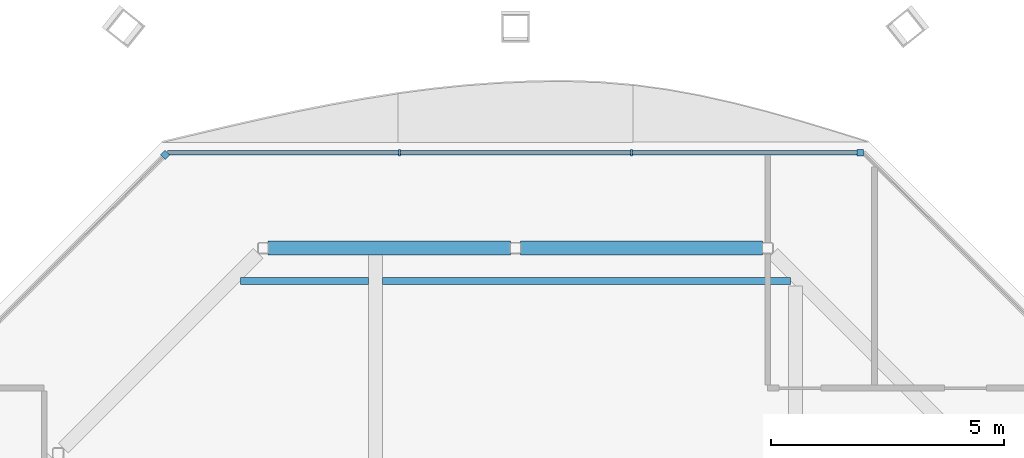
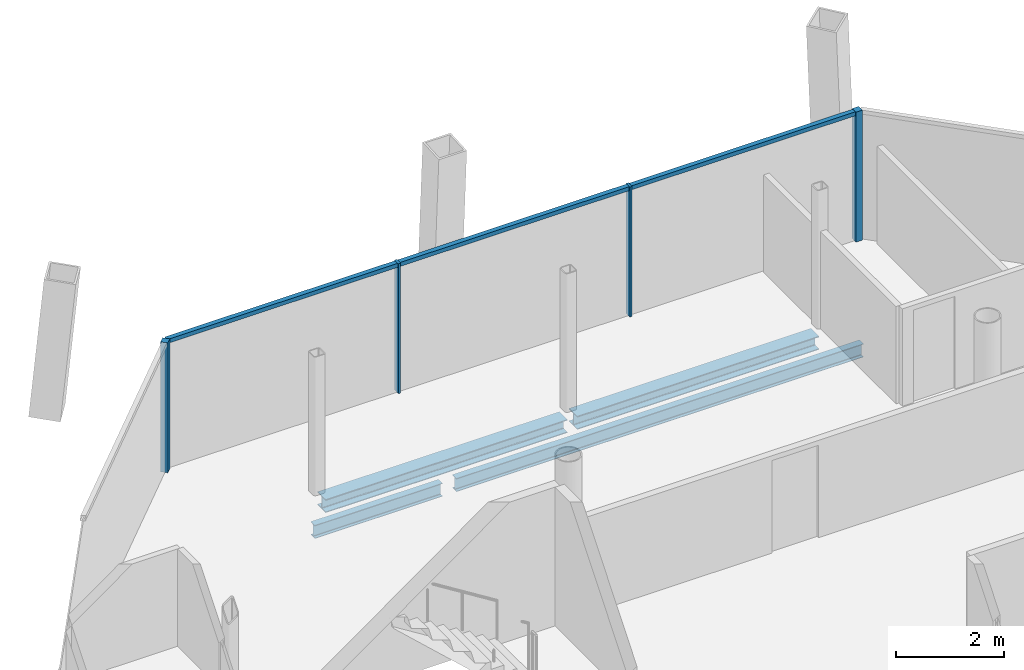
# One storey, part 8 of 14: 7 members, 4 beams, 2 elements without a shape of their own.
"""IFC4 building model written with IfcOpenShell, lengths in metres."""

from ifc_helpers import new_model, si_unit, direction, frame, origin, origin_2d, place, context, subcontext, project, spatial, rectangle, i_section, extrude, material, material_profile, profile_set, type_object, element, aggregate, save


model = new_model("IFC4")

# Units and contexts
model_context = context("Model", 3, precision=1e-05, world=origin(), true_north=direction((0.0, 1.0)))
body_context = subcontext(model_context, "Body", "Model", "MODEL_VIEW")
ifc_project = project(units=[si_unit("LENGTHUNIT", "METRE"), si_unit("AREAUNIT", "SQUARE_METRE"), si_unit("VOLUMEUNIT", "CUBIC_METRE"), si_unit("PLANEANGLEUNIT", "RADIAN"), si_unit("MASSUNIT", "GRAM", prefix="KILO")], contexts=[model_context])

# Site, building, storey
site_placement = place(None, origin())
site = spatial("IfcSite", under=ifc_project, at=site_placement, CompositionType="ELEMENT")
building_placement = place(site_placement, origin())
building = spatial("IfcBuilding", under=site, at=building_placement, Name="Tskaro Facet Tower", CompositionType="ELEMENT")
storey_placement = place(building_placement, frame((0.0, 0.0, 275.25)))
storey = spatial("IfcBuildingStorey", under=building, at=storey_placement, Name="L73", CompositionType="ELEMENT", Elevation=275.25)

# Curtain wall, member
ifc_material_1 = material(Name="Bronze anodised aluminium 6063-T6", Category="aluminium")
curtain_wall_type = type_object("IfcCurtainWallType", Name="Bronze residence curtain wall (FW3)", PredefinedType="NOTDEFINED", material=ifc_material_1)
curtain_wall_1_placement = place(storey_placement, origin())
curtain_wall_1 = element("IfcCurtainWall", 1, at=curtain_wall_1_placement, inside=storey, type_object=curtain_wall_type, Name="FW3 north facet L73", PredefinedType="NOTDEFINED")
ifc_material_profile_1 = material_profile(ifc_material_1, rectangle(XDim=0.139892578125, YDim=0.139892578125, at=origin_2d()), Name="Corner post 140x140")
ifc_profile_set_1 = profile_set([ifc_material_profile_1], Name="Bronze anodised aluminium 6063-T6")
member_type_1 = type_object("IfcMemberType", Name="FW3 bronze corner post 140x140", PredefinedType="MULLION", material=ifc_profile_set_1)
member_1_placement = place(storey_placement, frame((10.386962890625, 16.24609375, 0.0), z_axis=(0.0, 0.0, 1.0), x_axis=(-1.0, 0.0, 0.0)))
member_1 = element("IfcMember", 2, at=member_1_placement, type_object=member_type_1, Name="FW3 north corner post", PredefinedType="MULLION", context=body_context, shape_type="SweptSolid", body=[
    extrude(rectangle(XDim=0.139892578125, YDim=0.139892578125, at=origin_2d()), origin(), (0.0, 0.0, 1.0), 2.949951171875),
])

curtain_wall_2_placement = place(storey_placement, origin())
curtain_wall_2 = element("IfcCurtainWall", 3, at=curtain_wall_2_placement, inside=storey, type_object=curtain_wall_type, Name="FW3 north-west facet L73", PredefinedType="NOTDEFINED")
member_2_placement = place(storey_placement, frame((-4.506591796875, 16.196533203125, 0.0), z_axis=(0.0, 0.0, 1.0), x_axis=(-0.707106781187, -0.707106781187, 0.0)))
member_2 = element("IfcMember", 4, at=member_2_placement, type_object=member_type_1, Name="FW3 north-west corner post", PredefinedType="MULLION", context=body_context, shape_type="SweptSolid", body=[
    extrude(rectangle(XDim=0.139892578125, YDim=0.139892578125, at=origin_2d()), origin(), (0.0, 0.0, 1.0), 2.949951171875),
])
aggregate(curtain_wall_2, [member_2])

# Member
ifc_material_profile_2 = material_profile(ifc_material_1, rectangle(XDim=0.050048828125, YDim=0.139892578125, at=origin_2d()), Name="Mullion 50x140")
ifc_profile_set_2 = profile_set([ifc_material_profile_2], Name="Bronze anodised aluminium 6063-T6")
member_type_2 = type_object("IfcMemberType", Name="FW3 bronze mullion 50x140", PredefinedType="MULLION", material=ifc_profile_set_2)
member_3_placement = place(storey_placement, frame((5.485595703125, 16.24609375, 0.0), z_axis=(0.0, 0.0, 1.0), x_axis=(-1.0, 0.0, 0.0)))
member_3 = element("IfcMember", 5, at=member_3_placement, type_object=member_type_2, Name="FW3 north mullion 1", PredefinedType="MULLION", context=body_context, shape_type="SweptSolid", body=[
    extrude(rectangle(XDim=0.050048828125, YDim=0.139892578125, at=origin_2d()), origin(), (0.0, 0.0, 1.0), 2.949951171875),
])

member_4_placement = place(storey_placement, frame((0.514404296875, 16.24609375, 0.0), z_axis=(0.0, 0.0, 1.0), x_axis=(-1.0, 0.0, 0.0)))
member_4 = element("IfcMember", 6, at=member_4_placement, type_object=member_type_2, Name="FW3 north mullion 2", PredefinedType="MULLION", context=body_context, shape_type="SweptSolid", body=[
    extrude(rectangle(XDim=0.050048828125, YDim=0.139892578125, at=origin_2d()), origin(), (0.0, 0.0, 1.0), 2.949951171875),
])

ifc_material_profile_3 = material_profile(ifc_material_1, rectangle(XDim=0.10009765625, YDim=0.090087890625, at=origin_2d()), Name="Transom 100x90")
ifc_profile_set_3 = profile_set([ifc_material_profile_3], Name="Bronze anodised aluminium 6063-T6")
member_type_3 = type_object("IfcMemberType", Name="FW3 bronze transom 100x90", PredefinedType="USERDEFINED", material=ifc_profile_set_3)
member_5_placement = place(storey_placement, frame((10.31689453125, 16.24609375, 2.905029296875), z_axis=(-1.0, 0.0, 0.0), x_axis=(0.0, -1.0, 0.0)))
member_5 = element("IfcMember", 7, at=member_5_placement, type_object=member_type_3, Name="FW3 north transom 1.1", ObjectType="TRANSOM", PredefinedType="USERDEFINED", context=body_context, shape_type="SweptSolid", body=[
    extrude(rectangle(XDim=0.10009765625, YDim=0.090087890625, at=origin_2d()), origin(), (0.0, 0.0, 1.0), 4.80615234375),
])

member_6_placement = place(storey_placement, frame((5.460693359375, 16.24609375, 2.905029296875), z_axis=(-1.0, 0.0, 0.0), x_axis=(0.0, -1.0, 0.0)))
member_6 = element("IfcMember", 8, at=member_6_placement, type_object=member_type_3, Name="FW3 north transom 2.1", ObjectType="TRANSOM", PredefinedType="USERDEFINED", context=body_context, shape_type="SweptSolid", body=[
    extrude(rectangle(XDim=0.10009765625, YDim=0.090087890625, at=origin_2d()), origin(), (0.0, 0.0, 1.0), 4.92138671875),
])

member_7_placement = place(storey_placement, frame((0.4892578125, 16.24609375, 2.905029296875), z_axis=(-1.0, 0.0, 0.0), x_axis=(0.0, -1.0, 0.0)))
member_7 = element("IfcMember", 9, at=member_7_placement, type_object=member_type_3, Name="FW3 north transom 3.1", ObjectType="TRANSOM", PredefinedType="USERDEFINED", context=body_context, shape_type="SweptSolid", body=[
    extrude(rectangle(XDim=0.10009765625, YDim=0.090087890625, at=origin_2d()), origin(), (0.0, 0.0, 1.0), 4.9462890625),
])

aggregate(curtain_wall_1, [member_1, member_3, member_4, member_5, member_6, member_7])

# Beams
ifc_material_2 = material(Name="Steel S355J2", Category="steel")
ifc_material_profile_4 = material_profile(ifc_material_2, i_section(OverallWidth=0.300048828125, OverallDepth=0.300048828125, WebThickness=0.010986328125, FlangeThickness=0.01904296875, FilletRadius=0.027099609375, at=origin_2d()), Name="HE 300 B")
ifc_profile_set_4 = profile_set([ifc_material_profile_4], Name="Steel S355J2")
beam_type_1 = type_object("IfcBeamType", Name="HE 300 B ring beam", PredefinedType="BEAM", material=ifc_profile_set_4)
for number, where, z_axis, x_axis, name in (
    (10, (8.298095703125, 14.199951171875, -0.2900390625), (-1.0, 0.0, 0.0), (0.0, -1.0, 0.0), "HE 300 B EB9-6"),
    (11, (2.89501953125, 14.199951171875, -0.2900390625), (-1.0, 0.0, 0.0), (0.0, -1.0, 0.0), "HE 300 B EB10-6"),
):
    element("IfcBeam", number, at=place(storey_placement, frame(where, z_axis=z_axis, x_axis=x_axis)), inside=storey, type_object=beam_type_1, Name=name, PredefinedType="BEAM", context=body_context, shape_type="SweptSolid", body=[
        extrude(i_section(OverallWidth=0.300048828125, OverallDepth=0.300048828125, WebThickness=0.010986328125, FlangeThickness=0.01904296875, FilletRadius=0.027099609375, at=origin_2d()), origin(), (0.0, 0.0, 1.0), 5.193115234375),
    ])
ifc_material_profile_5 = material_profile(ifc_material_2, i_section(OverallWidth=0.14990234375, OverallDepth=0.300048828125, WebThickness=0.007080078125, FlangeThickness=0.0107421875, FilletRadius=0.014892578125, at=origin_2d()), Name="IPE 300")
ifc_profile_set_5 = profile_set([ifc_material_profile_5], Name="Steel S355J2")
beam_type_2 = type_object("IfcBeamType", Name="IPE 300 secondary beam", PredefinedType="BEAM", material=ifc_profile_set_5)
beam_1_placement = place(storey_placement, frame((-2.89111328125, 13.5, -0.2900390625), z_axis=(1.0, 0.0, 0.0), x_axis=(0.0, 1.0, 0.0)))
element("IfcBeam", 12, at=beam_1_placement, inside=storey, type_object=beam_type_2, Name="IPE 300 SB5a-1-6", PredefinedType="BEAM", context=body_context, shape_type="SweptSolid", body=[
    extrude(i_section(OverallWidth=0.14990234375, OverallDepth=0.300048828125, WebThickness=0.007080078125, FlangeThickness=0.0107421875, FilletRadius=0.014892578125, at=origin_2d()), origin(), (0.0, 0.0, 1.0), 2.7412109375),
])
beam_2_placement = place(storey_placement, frame((0.14990234375, 13.5, -0.2900390625), z_axis=(1.0, 0.0, 0.0), x_axis=(0.0, 1.0, 0.0)))
element("IfcBeam", 13, at=beam_2_placement, inside=storey, type_object=beam_type_2, Name="IPE 300 SB5a-2-6", PredefinedType="BEAM", context=body_context, shape_type="SweptSolid", body=[
    extrude(i_section(OverallWidth=0.14990234375, OverallDepth=0.300048828125, WebThickness=0.007080078125, FlangeThickness=0.0107421875, FilletRadius=0.014892578125, at=origin_2d()), origin(), (0.0, 0.0, 1.0), 8.7412109375),
])

save(model, "model.ifc")
